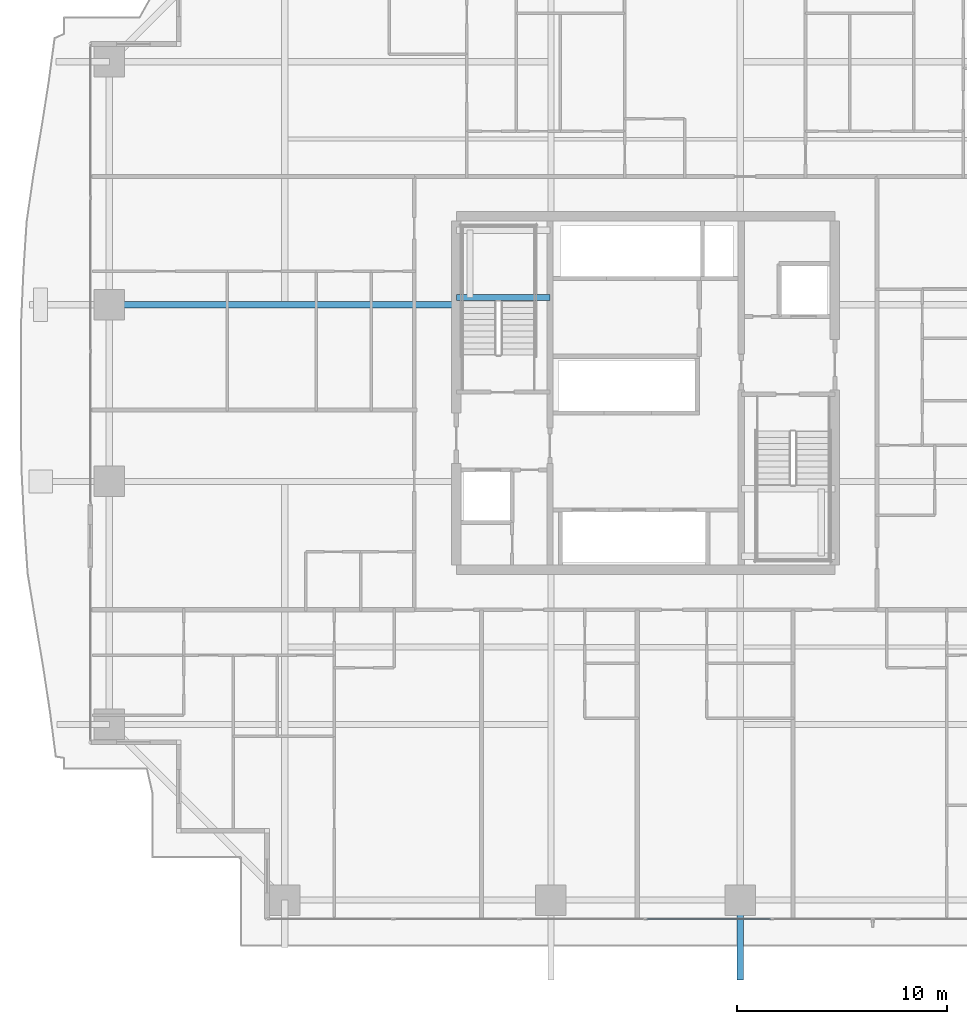
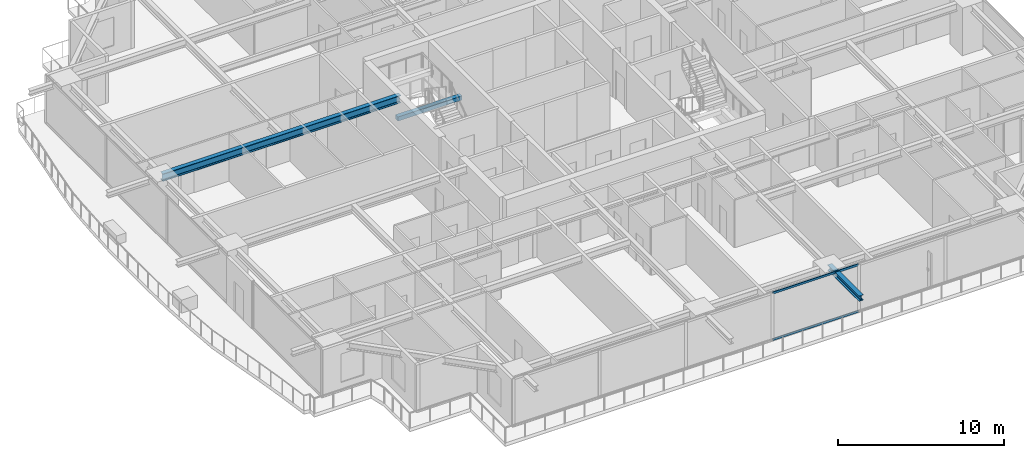
# One storey, part 9 of 36: 3 beams, 2 members, 1 element without a shape of its own.
"""IFC4 building model written with IfcOpenShell, lengths in metres."""

from ifc_helpers import new_model, si_unit, direction, frame, origin, origin_2d, place, context, subcontext, project, spatial, rectangle, hollow_rectangle, i_section, extrude, source, transform, mapped, material, layer, layer_set, material_profile, profile_set, type_object, element, aggregate, save


model = new_model("IFC4")

# Units and contexts
model_context = context("Model", 3, precision=1e-05, world=origin(), true_north=direction((0.0, 1.0)))
body_context = subcontext(model_context, "Body", "Model", "MODEL_VIEW")
ifc_project = project(units=[si_unit("LENGTHUNIT", "METRE"), si_unit("AREAUNIT", "SQUARE_METRE"), si_unit("VOLUMEUNIT", "CUBIC_METRE"), si_unit("PLANEANGLEUNIT", "RADIAN"), si_unit("MASSUNIT", "GRAM", prefix="KILO")], contexts=[model_context])

# Site, building, storey
site_placement = place(None, origin())
site = spatial("IfcSite", under=ifc_project, at=site_placement, CompositionType="ELEMENT")
building_placement = place(site_placement, origin())
building = spatial("IfcBuilding", under=site, at=building_placement, Name="Serunith Strait Residences", CompositionType="ELEMENT")
storey_placement = place(building_placement, frame((0.0, 0.0, 86.699951171875)))
storey = spatial("IfcBuildingStorey", under=building, at=storey_placement, Name="L21", CompositionType="ELEMENT", Elevation=86.699951171875)

# Beams
ifc_material_1 = material(Name="Steel S355J2", Category="steel")
ifc_material_profile_1 = material_profile(ifc_material_1, i_section(OverallWidth=0.300048828125, OverallDepth=0.550048828125, WebThickness=0.014892578125, FlangeThickness=0.029052734375, FilletRadius=0.027099609375, at=origin_2d()), Name="HEB 550")
ifc_profile_set_1 = profile_set([ifc_material_profile_1], Name="Steel S355J2")
beam_type_1 = type_object("IfcBeamType", Name="BM-HEB550", PredefinedType="BEAM", material=ifc_profile_set_1)
shared_shape_1 = source(origin(), body_context, "Body", "SweptSolid", [
    extrude(i_section(OverallWidth=0.300048828125, OverallDepth=0.550048828125, WebThickness=0.014892578125, FlangeThickness=0.029052734375, FilletRadius=0.027099609375, at=origin_2d()), origin(), (0.0, 0.0, 1.0), 16.5),
])
beam_1_placement = place(storey_placement, frame((23.39990234375, 29.39990234375, 3.212158203125), z_axis=(-1.0, 0.0, 0.0), x_axis=(0.0, -1.0, 0.0)))
element("IfcBeam", 1, at=beam_1_placement, inside=storey, type_object=beam_type_1, Name="L21 Primary Floor Girder TC-W3", PredefinedType="BEAM", context=body_context, shape_type="MappedRepresentation", body=[
    mapped(shared_shape_1, transform((0.0, 0.0, 0.0), scale=1.0)),
])
ifc_material_profile_2 = material_profile(ifc_material_1, i_section(OverallWidth=0.300048828125, OverallDepth=0.39990234375, WebThickness=0.013427734375, FlangeThickness=0.02392578125, FilletRadius=0.027099609375, at=origin_2d()), Name="HEB 400")
ifc_profile_set_2 = profile_set([ifc_material_profile_2], Name="Steel S355J2")
beam_type_2 = type_object("IfcBeamType", Name="BM-HEB400", PredefinedType="BEAM", material=ifc_profile_set_2)
shared_shape_2 = source(origin(), body_context, "Body", "SweptSolid", [
    extrude(i_section(OverallWidth=0.300048828125, OverallDepth=0.39990234375, WebThickness=0.013427734375, FlangeThickness=0.02392578125, FilletRadius=0.027099609375, at=origin_2d()), origin(), (0.0, 0.0, 1.0), 3.800048828125),
])
beam_2_placement = place(storey_placement, frame((36.89990234375, 1.10009765625, 3.257080078125), z_axis=(0.0, -1.0, 0.0), x_axis=(1.0, 0.0, 0.0)))
element("IfcBeam", 2, at=beam_2_placement, inside=storey, type_object=beam_type_2, Name="L22 Cantilevered Balcony Rib TC-S3", PredefinedType="BEAM", context=body_context, shape_type="MappedRepresentation", body=[
    mapped(shared_shape_2, transform((0.0, 0.0, 0.0), scale=1.0)),
])
ifc_material_2 = material(Name="Concrete C60/75", Category="concrete")
ifc_material_profile_3 = material_profile(ifc_material_2, rectangle(XDim=0.300048828125, YDim=0.300048828125, at=origin_2d()), Name="RC 300x300")
ifc_profile_set_3 = profile_set([ifc_material_profile_3], Name="Concrete C60/75")
beam_type_3 = type_object("IfcBeamType", Name="BM-LAND-300x300", PredefinedType="BEAM", material=ifc_profile_set_3)
shared_shape_3 = source(origin(), body_context, "Body", "SweptSolid", [
    extrude(rectangle(XDim=0.300048828125, YDim=0.300048828125, at=origin_2d()), origin(), (0.0, 0.0, 1.0), 4.4501953125),
])
beam_3_placement = place(storey_placement, frame((23.39990234375, 29.75, 1.525146484375), z_axis=(1.0, 0.0, 0.0), x_axis=(0.0, 1.0, 0.0)))
element("IfcBeam", 3, at=beam_3_placement, inside=storey, type_object=beam_type_3, Name="L21 ST-1 Landing Support Beam 1", PredefinedType="BEAM", context=body_context, shape_type="MappedRepresentation", body=[
    mapped(shared_shape_3, transform((0.0, 0.0, 0.0), scale=1.0)),
])

# Curtain wall, members
ifc_material_3 = material(Name="Pale-Champagne Anodised Aluminium", Category="aluminium")
ifc_layer = layer(ifc_material_3, 0.199951171875, Name="Pale-Champagne Anodised Aluminium")
ifc_layer_set = layer_set([ifc_layer], Name="Pale-Champagne Anodised Aluminium")
curtain_wall_type = type_object("IfcCurtainWallType", Name="CW-SYS1", PredefinedType="NOTDEFINED", material=ifc_layer_set)
curtain_wall_placement = place(storey_placement, origin())
curtain_wall = element("IfcCurtainWall", 4, at=curtain_wall_placement, inside=storey, type_object=curtain_wall_type, Name="L21 S Unitised Fritted Curtain Wall", PredefinedType="NOTDEFINED")
ifc_material_profile_4 = material_profile(ifc_material_3, hollow_rectangle(XDim=0.06005859375, YDim=0.159912109375, WallThickness=0.00341796875, InnerFilletRadius=0.00537109375, OuterFilletRadius=0.0087890625, at=origin_2d()), Name="ALU 160x60x3.5")
ifc_profile_set_4 = profile_set([ifc_material_profile_4], Name="Pale-Champagne Anodised Aluminium")
member_type = type_object("IfcMemberType", Name="CW-SYS1-TRAN", PredefinedType="USERDEFINED", material=ifc_profile_set_4)
shared_shape_4 = source(origin(), body_context, "Body", "SweptSolid", [
    extrude(hollow_rectangle(XDim=0.06005859375, YDim=0.159912109375, WallThickness=0.00341796875, InnerFilletRadius=0.00537109375, OuterFilletRadius=0.0087890625, at=origin_2d()), origin(), (0.0, 0.0, 1.0), 5.929931640625),
])
member_1_placement = place(storey_placement, frame((32.43505859375, 0.199951171875, 0.030029296875), z_axis=(1.0, 0.0, 0.0), x_axis=(0.0, 1.0, 0.0)))
member_1 = element("IfcMember", 5, at=member_1_placement, type_object=member_type, Name="CW-1 transom 4.1", ObjectType="TRANSOM", PredefinedType="USERDEFINED", context=body_context, shape_type="MappedRepresentation", body=[
    mapped(shared_shape_4, transform((0.0, 0.0, 0.0), scale=1.0)),
])
member_2_placement = place(storey_placement, frame((32.43505859375, 0.199951171875, 3.445068359375), z_axis=(1.0, 0.0, 0.0), x_axis=(0.0, 1.0, 0.0)))
member_2 = element("IfcMember", 6, at=member_2_placement, type_object=member_type, Name="CW-1 transom 4.2", ObjectType="TRANSOM", PredefinedType="USERDEFINED", context=body_context, shape_type="MappedRepresentation", body=[
    mapped(shared_shape_4, transform((0.0, 0.0, 0.0), scale=1.0)),
])
aggregate(curtain_wall, [member_1, member_2])

save(model, "model.ifc")
